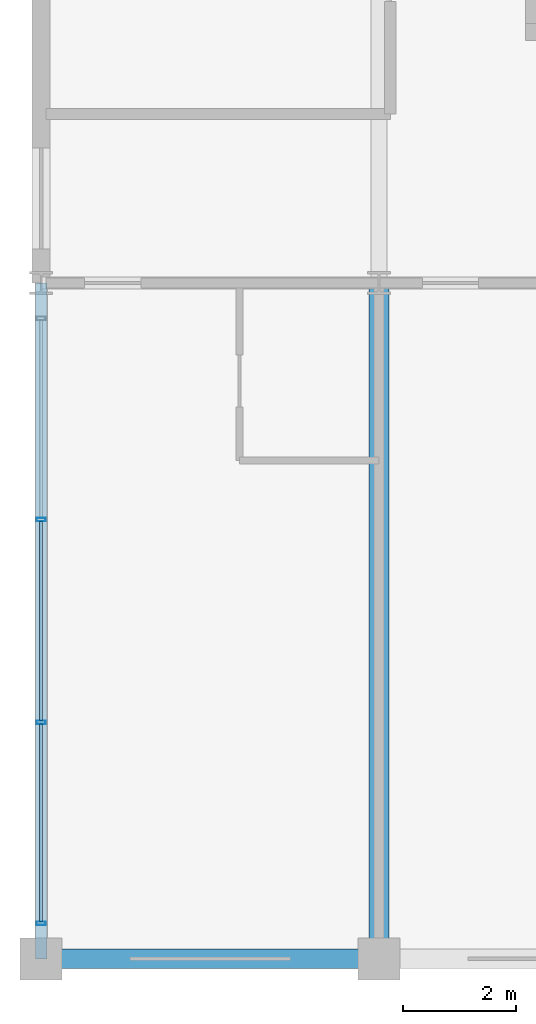
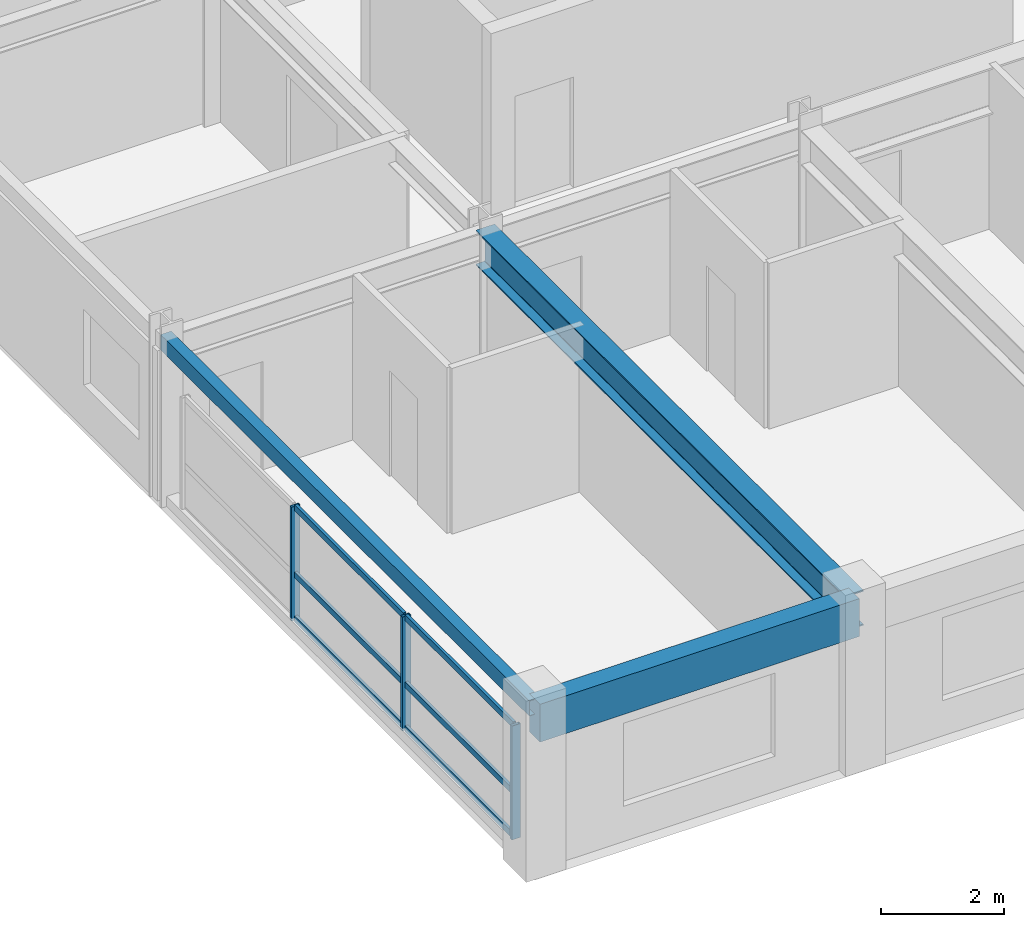
# One storey, part 2 of 20: 9 members, 3 beams, 1 element without a shape of its own.
"""IFC4 building model written with IfcOpenShell, lengths in metres."""

from ifc_helpers import new_model, si_unit, direction, frame, origin, origin_2d, place, context, subcontext, project, spatial, rectangle, hollow_rectangle, i_section, extrude, material, material_profile, profile_set, type_object, element, aggregate, save


model = new_model("IFC4")

# Units and contexts
model_context = context("Model", 3, precision=1e-05, world=origin(), true_north=direction((0.0, 1.0)))
body_context = subcontext(model_context, "Body", "Model", "MODEL_VIEW")
ifc_project = project(units=[si_unit("LENGTHUNIT", "METRE"), si_unit("AREAUNIT", "SQUARE_METRE"), si_unit("VOLUMEUNIT", "CUBIC_METRE"), si_unit("PLANEANGLEUNIT", "RADIAN"), si_unit("MASSUNIT", "GRAM", prefix="KILO")], contexts=[model_context])

# Site, building, storey
site_placement = place(None, origin())
site = spatial("IfcSite", under=ifc_project, at=site_placement, CompositionType="ELEMENT")
building_placement = place(site_placement, origin())
building = spatial("IfcBuilding", under=site, at=building_placement, Name="Kaldorvane Square Convention Centre", CompositionType="ELEMENT")
storey_placement = place(building_placement, frame((0.0, 0.0, 56.399993896484375)))
storey = spatial("IfcBuildingStorey", under=building, at=storey_placement, Name="L13", CompositionType="ELEMENT", Elevation=56.399993896484375)

# Beams
ifc_material_1 = material(Name="Steel ASTM A992 Gr. 50", Category="steel")
ifc_material_profile_1 = material_profile(ifc_material_1, i_section(OverallWidth=0.354705810546875, OverallDepth=0.69549560546875, WebThickness=0.0153961181640625, FlangeThickness=0.0251007080078125, FilletRadius=0.01519775390625, at=origin_2d()), Name="W27X146")
ifc_profile_set_1 = profile_set([ifc_material_profile_1], Name="Steel ASTM A992 Gr. 50")
beam_type_1 = type_object("IfcBeamType", Name="BM-GR-W27X146", PredefinedType="BEAM", material=ifc_profile_set_1)
beam_1_placement = place(storey_placement, frame((36.0, 84.0, 2.9383087158203125), z_axis=(0.0, 1.0, 0.0), x_axis=(-1.0, 0.0, 0.0)))
element("IfcBeam", 1, at=beam_1_placement, inside=storey, type_object=beam_type_1, Name="Transverse Girder (L13)", PredefinedType="BEAM", context=body_context, shape_type="SweptSolid", body=[
    extrude(i_section(OverallWidth=0.354705810546875, OverallDepth=0.69549560546875, WebThickness=0.0153961181640625, FlangeThickness=0.0251007080078125, FilletRadius=0.01519775390625, at=origin_2d()), origin(), (0.0, 0.0, 1.0), 12.0),
])
ifc_material_2 = material(Name="Steel ASTM A500 Gr. C", Category="steel")
ifc_material_profile_2 = material_profile(ifc_material_2, hollow_rectangle(XDim=0.2032012939453125, YDim=0.3047943115234375, WallThickness=0.0088958740234375, at=origin_2d()), Name="HSS12X8X3/8")
ifc_profile_set_2 = profile_set([ifc_material_profile_2], Name="Steel ASTM A500 Gr. C")
beam_type_2 = type_object("IfcBeamType", Name="BM-SP-HSS12", PredefinedType="SPANDREL", material=ifc_profile_set_2)
beam_2_placement = place(storey_placement, frame((30.0, 84.0, 3.13360595703125), z_axis=(0.0, 1.0, 0.0), x_axis=(-1.0, 0.0, 0.0)))
element("IfcBeam", 2, at=beam_2_placement, inside=storey, type_object=beam_type_2, Name="End Spandrel (L13)", PredefinedType="SPANDREL", context=body_context, shape_type="SweptSolid", body=[
    extrude(hollow_rectangle(XDim=0.2032012939453125, YDim=0.3047943115234375, WallThickness=0.0088958740234375, at=origin_2d()), origin(), (0.0, 0.0, 1.0), 12.0),
])
ifc_material_3 = material(Name="Concrete f'c = 42 MPa (Normalweight)", Category="concrete")
ifc_material_profile_3 = material_profile(ifc_material_3, rectangle(XDim=0.350006103515625, YDim=0.75, at=origin_2d()), Name="RCSP750X350")
ifc_profile_set_3 = profile_set([ifc_material_profile_3], Name="Concrete f'c = 42 MPa (Normalweight)")
beam_type_3 = type_object("IfcBeamType", Name="BM-SP-RC750", PredefinedType="SPANDREL", material=ifc_profile_set_3)
beam_3_placement = place(storey_placement, frame((30.0, 84.0, 2.9110107421875), z_axis=(1.0, 0.0, 0.0), x_axis=(0.0, 1.0, 0.0)))
element("IfcBeam", 3, at=beam_3_placement, inside=storey, type_object=beam_type_3, Name="Perimeter Spandrel (L13)", PredefinedType="SPANDREL", context=body_context, shape_type="SweptSolid", body=[
    extrude(rectangle(XDim=0.350006103515625, YDim=0.75, at=origin_2d()), origin(), (0.0, 0.0, 1.0), 6.0),
])

# Curtain wall, members
ifc_material_4 = material(Name="Anodized Aluminum and Low-E Insulated Glazing", Category="aluminium")
curtain_wall_type = type_object("IfcCurtainWallType", Name="CW-UNI-HTL-B", PredefinedType="USERDEFINED", material=ifc_material_4)
curtain_wall_placement = place(storey_placement, origin())
curtain_wall = element("IfcCurtainWall", 4, at=curtain_wall_placement, inside=storey, type_object=curtain_wall_type, Name="Curtain Wall CW-11 (L13)", ObjectType="UNITISED GLAZING", PredefinedType="USERDEFINED")
ifc_material_profile_4 = material_profile(ifc_material_4, hollow_rectangle(XDim=0.05999755859375, YDim=0.160003662109375, WallThickness=0.003204345703125, at=origin_2d()), Name="CWM-160X60")
ifc_profile_set_4 = profile_set([ifc_material_profile_4], Name="Anodized Aluminum and Low-E Insulated Glazing")
member_type_1 = type_object("IfcMemberType", Name="CW-MUL-160", PredefinedType="MULLION", material=ifc_profile_set_4)
member_1_placement = place(storey_placement, frame((30.0, 91.80000305175781, 0.1500091552734375), z_axis=(0.0, 0.0, 1.0), x_axis=(0.0, -1.0, 0.0)))
member_1 = element("IfcMember", 5, at=member_1_placement, type_object=member_type_1, Name="CW-11 mullion 2", PredefinedType="MULLION", context=body_context, shape_type="SweptSolid", body=[
    extrude(hollow_rectangle(XDim=0.05999755859375, YDim=0.160003662109375, WallThickness=0.003204345703125, at=origin_2d()), origin(), (0.0, 0.0, 1.0), 2.2599945068359375),
])
member_2_placement = place(storey_placement, frame((30.0, 88.19999694824219, 0.1500091552734375), z_axis=(0.0, 0.0, 1.0), x_axis=(0.0, -1.0, 0.0)))
member_2 = element("IfcMember", 6, at=member_2_placement, type_object=member_type_1, Name="CW-11 mullion 3", PredefinedType="MULLION", context=body_context, shape_type="SweptSolid", body=[
    extrude(hollow_rectangle(XDim=0.05999755859375, YDim=0.160003662109375, WallThickness=0.003204345703125, at=origin_2d()), origin(), (0.0, 0.0, 1.0), 2.2599945068359375),
])
member_3_placement = place(storey_placement, frame((30.0, 84.6300048828125, 0.1500091552734375), z_axis=(0.0, 0.0, 1.0), x_axis=(0.0, -1.0, 0.0)))
member_3 = element("IfcMember", 7, at=member_3_placement, type_object=member_type_1, Name="CW-11 mullion 4", PredefinedType="MULLION", context=body_context, shape_type="SweptSolid", body=[
    extrude(hollow_rectangle(XDim=0.05999755859375, YDim=0.160003662109375, WallThickness=0.003204345703125, at=origin_2d()), origin(), (0.0, 0.0, 1.0), 2.2599945068359375),
])
ifc_material_profile_5 = material_profile(ifc_material_4, hollow_rectangle(XDim=0.05499267578125, YDim=0.1199951171875, WallThickness=0.0030059814453125, at=origin_2d()), Name="CWT-120X55")
ifc_profile_set_5 = profile_set([ifc_material_profile_5], Name="Anodized Aluminum and Low-E Insulated Glazing")
member_type_2 = type_object("IfcMemberType", Name="CW-TRN-120", PredefinedType="USERDEFINED", material=ifc_profile_set_5)
member_4_placement = place(storey_placement, frame((30.0, 91.77000427246094, 0.1775054931640625), z_axis=(0.0, -1.0, 0.0), x_axis=(1.0, 0.0, 0.0)))
member_4 = element("IfcMember", 8, at=member_4_placement, type_object=member_type_2, Name="CW-11 transom 2.1", ObjectType="TRANSOM", PredefinedType="USERDEFINED", context=body_context, shape_type="SweptSolid", body=[
    extrude(hollow_rectangle(XDim=0.05499267578125, YDim=0.1199951171875, WallThickness=0.0030059814453125, at=origin_2d()), origin(), (0.0, 0.0, 1.0), 3.540008544921875),
])
member_5_placement = place(storey_placement, frame((30.0, 91.77000427246094, 1.0500030517578125), z_axis=(0.0, -1.0, 0.0), x_axis=(1.0, 0.0, 0.0)))
member_5 = element("IfcMember", 9, at=member_5_placement, type_object=member_type_2, Name="CW-11 transom 2.2", ObjectType="TRANSOM", PredefinedType="USERDEFINED", context=body_context, shape_type="SweptSolid", body=[
    extrude(hollow_rectangle(XDim=0.05499267578125, YDim=0.1199951171875, WallThickness=0.0030059814453125, at=origin_2d()), origin(), (0.0, 0.0, 1.0), 3.540008544921875),
])
member_6_placement = place(storey_placement, frame((30.0, 91.77000427246094, 2.38250732421875), z_axis=(0.0, -1.0, 0.0), x_axis=(1.0, 0.0, 0.0)))
member_6 = element("IfcMember", 10, at=member_6_placement, type_object=member_type_2, Name="CW-11 transom 2.3", ObjectType="TRANSOM", PredefinedType="USERDEFINED", context=body_context, shape_type="SweptSolid", body=[
    extrude(hollow_rectangle(XDim=0.05499267578125, YDim=0.1199951171875, WallThickness=0.0030059814453125, at=origin_2d()), origin(), (0.0, 0.0, 1.0), 3.540008544921875),
])
member_7_placement = place(storey_placement, frame((30.0, 88.16999816894531, 0.1775054931640625), z_axis=(0.0, -1.0, 0.0), x_axis=(1.0, 0.0, 0.0)))
member_7 = element("IfcMember", 11, at=member_7_placement, type_object=member_type_2, Name="CW-11 transom 3.1", ObjectType="TRANSOM", PredefinedType="USERDEFINED", context=body_context, shape_type="SweptSolid", body=[
    extrude(hollow_rectangle(XDim=0.05499267578125, YDim=0.1199951171875, WallThickness=0.0030059814453125, at=origin_2d()), origin(), (0.0, 0.0, 1.0), 3.5099945068359375),
])
member_8_placement = place(storey_placement, frame((30.0, 88.16999816894531, 1.0500030517578125), z_axis=(0.0, -1.0, 0.0), x_axis=(1.0, 0.0, 0.0)))
member_8 = element("IfcMember", 12, at=member_8_placement, type_object=member_type_2, Name="CW-11 transom 3.2", ObjectType="TRANSOM", PredefinedType="USERDEFINED", context=body_context, shape_type="SweptSolid", body=[
    extrude(hollow_rectangle(XDim=0.05499267578125, YDim=0.1199951171875, WallThickness=0.0030059814453125, at=origin_2d()), origin(), (0.0, 0.0, 1.0), 3.5099945068359375),
])
member_9_placement = place(storey_placement, frame((30.0, 88.16999816894531, 2.38250732421875), z_axis=(0.0, -1.0, 0.0), x_axis=(1.0, 0.0, 0.0)))
member_9 = element("IfcMember", 13, at=member_9_placement, type_object=member_type_2, Name="CW-11 transom 3.3", ObjectType="TRANSOM", PredefinedType="USERDEFINED", context=body_context, shape_type="SweptSolid", body=[
    extrude(hollow_rectangle(XDim=0.05499267578125, YDim=0.1199951171875, WallThickness=0.0030059814453125, at=origin_2d()), origin(), (0.0, 0.0, 1.0), 3.5099945068359375),
])
aggregate(curtain_wall, [member_1, member_2, member_3, member_4, member_5, member_6, member_7, member_8, member_9])

save(model, "model.ifc")
